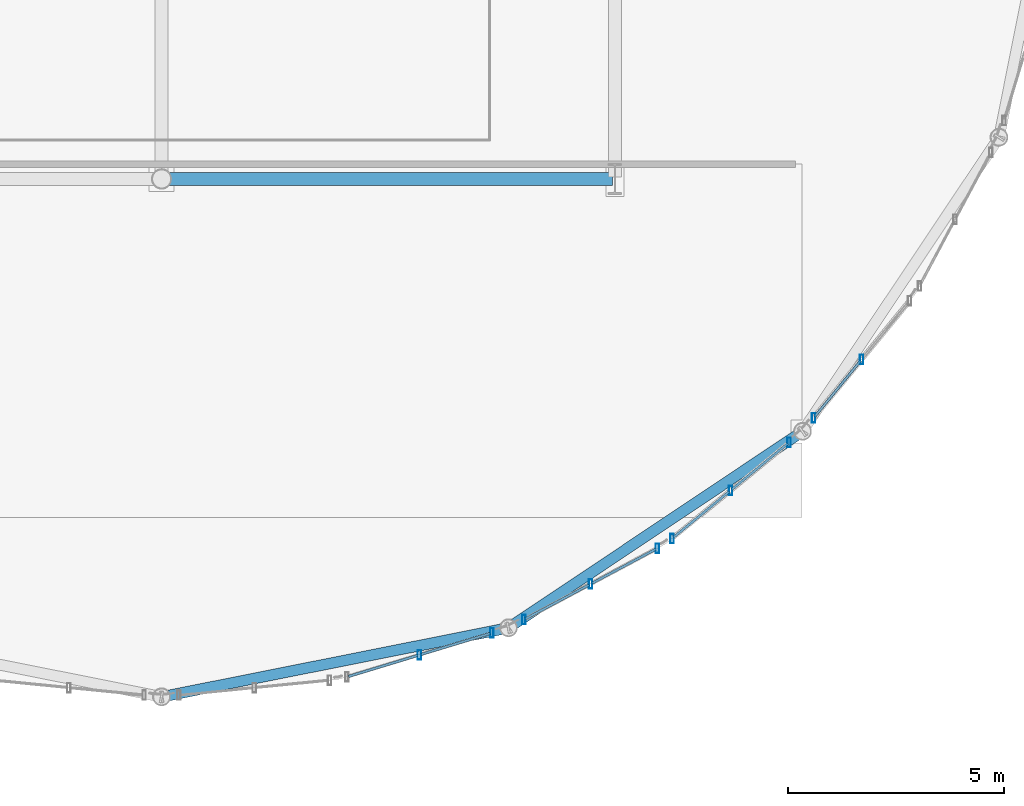
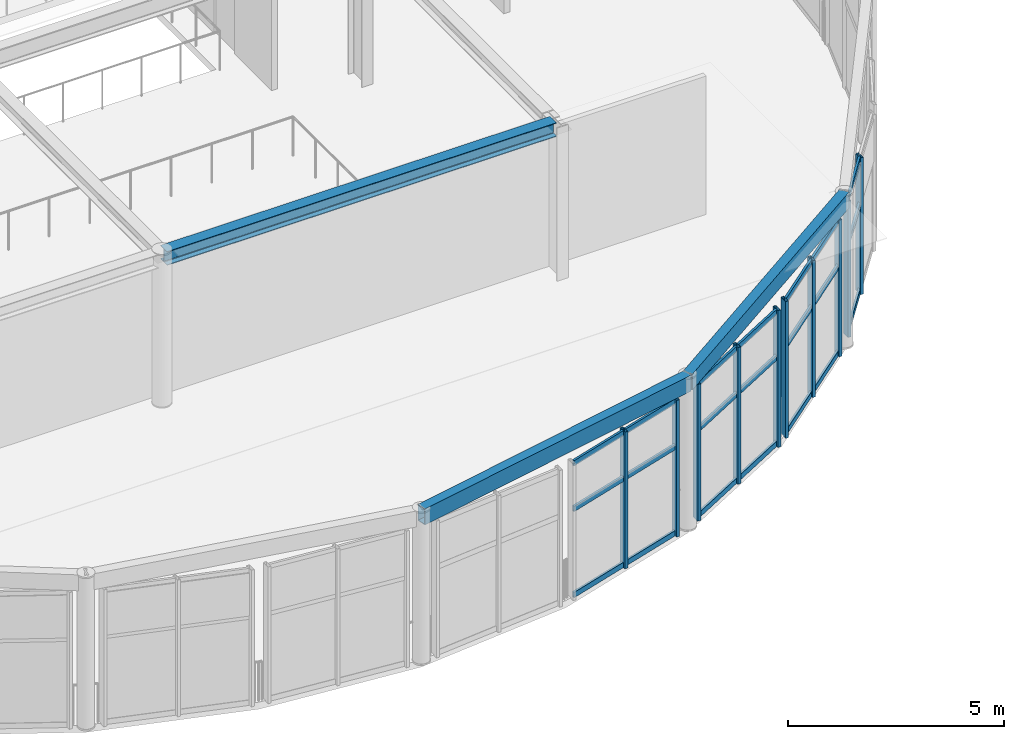
# One storey, part 19 of 105: 31 members, 3 beams, 4 elements without a shape of their own.
"""IFC4 building model written with IfcOpenShell, lengths in metres."""

from ifc_helpers import new_model, si_unit, direction, frame, origin, origin_2d, place, context, subcontext, project, spatial, hollow_rectangle, i_section, extrude, material, layer, layer_set, material_profile, profile_set, type_object, element, aggregate, save


model = new_model("IFC4")

# Units and contexts
model_context = context("Model", 3, precision=1e-05, world=origin(), true_north=direction((0.0, 1.0)))
body_context = subcontext(model_context, "Body", "Model", "MODEL_VIEW")
ifc_project = project(units=[si_unit("LENGTHUNIT", "METRE"), si_unit("AREAUNIT", "SQUARE_METRE"), si_unit("VOLUMEUNIT", "CUBIC_METRE"), si_unit("PLANEANGLEUNIT", "RADIAN"), si_unit("MASSUNIT", "GRAM", prefix="KILO")], contexts=[model_context])

# Site, building, storey
site_placement = place(None, origin())
site = spatial("IfcSite", under=ifc_project, at=site_placement, CompositionType="ELEMENT")
building_placement = place(site_placement, origin())
building = spatial("IfcBuilding", under=site, at=building_placement, Name="Marlcrest Central Station", CompositionType="ELEMENT")
storey_placement = place(building_placement, frame((0.0, 0.0, 15.0)))
storey = spatial("IfcBuildingStorey", under=building, at=storey_placement, Name="L03", CompositionType="ELEMENT", Elevation=15.0)

# Beam
ifc_material_1 = material(Name="Steel S355", Category="steel")
ifc_material_profile_1 = material_profile(ifc_material_1, i_section(OverallWidth=0.300048828125, OverallDepth=0.389892578125, WebThickness=0.010986328125, FlangeThickness=0.01904296875, FilletRadius=0.027099609375, at=origin_2d()), Name="HEA 400")
ifc_profile_set_1 = profile_set([ifc_material_profile_1], Name="Steel S355")
beam_type_1 = type_object("IfcBeamType", Name="BM-08", PredefinedType="BEAM", material=ifc_profile_set_1)
beam_1_placement = place(storey_placement, frame((108.050048828125, 13.5, 4.1298828125), z_axis=(1.0, 0.0, 0.0), x_axis=(0.0, 1.0, 0.0)))
element("IfcBeam", 1, at=beam_1_placement, inside=storey, type_object=beam_type_1, Name="bm-BM-08-L03-01414", PredefinedType="BEAM", context=body_context, shape_type="SweptSolid", body=[
    extrude(i_section(OverallWidth=0.300048828125, OverallDepth=0.389892578125, WebThickness=0.010986328125, FlangeThickness=0.01904296875, FilletRadius=0.027099609375, at=origin_2d()), origin(), (0.0, 0.0, 1.0), 10.39990234375),
])

# Curtain wall, members
ifc_material_2 = material(Name="Anodised aluminium and hurricane laminated glass", Category="aluminium")
ifc_layer = layer(ifc_material_2, 0.219970703125, Name="CW-U1")
ifc_layer_set = layer_set([ifc_layer], Name="Anodised aluminium and hurricane laminated glass")
curtain_wall_type = type_object("IfcCurtainWallType", Name="CW-U1", PredefinedType="USERDEFINED", material=ifc_layer_set)
curtain_wall_1_placement = place(storey_placement, origin())
curtain_wall_1 = element("IfcCurtainWall", 2, at=curtain_wall_1_placement, inside=storey, type_object=curtain_wall_type, Name="cw-L03-0050", ObjectType="UNITISED_CURTAIN_WALL", PredefinedType="USERDEFINED")
ifc_material_3 = material(Name="Anodised aluminium 6063-T6", Category="aluminium")
ifc_material_profile_2 = material_profile(ifc_material_3, hollow_rectangle(XDim=0.080078125, YDim=0.219970703125, WallThickness=0.006103515625, at=origin_2d()), Name="AA-RHS 220x80x6")
ifc_profile_set_2 = profile_set([ifc_material_profile_2], Name="Anodised aluminium 6063-T6")
member_type_1 = type_object("IfcMemberType", Name="ML-01", PredefinedType="MULLION", material=ifc_profile_set_2)
member_1_placement = place(storey_placement, frame((115.6494140625, 2.981689453125, -0.030029296875), z_axis=(0.0, 0.0, 1.0), x_axis=(1.0, 0.0, 0.0)))
member_1 = element("IfcMember", 3, at=member_1_placement, type_object=member_type_1, Name="cw-L03-0050-ml-0", PredefinedType="MULLION", context=body_context, shape_type="SweptSolid", body=[
    extrude(hollow_rectangle(XDim=0.080078125, YDim=0.219970703125, WallThickness=0.006103515625, at=origin_2d()), origin(), (0.0, 0.0, 1.0), 3.860107421875),
])
member_2_placement = place(storey_placement, frame((113.9716796875, 2.47265625, -0.030029296875), z_axis=(0.0, 0.0, 1.0), x_axis=(1.0, 0.0, 0.0)))
member_2 = element("IfcMember", 4, at=member_2_placement, type_object=member_type_1, Name="cw-L03-0050-ml-1", PredefinedType="MULLION", context=body_context, shape_type="SweptSolid", body=[
    extrude(hollow_rectangle(XDim=0.080078125, YDim=0.219970703125, WallThickness=0.006103515625, at=origin_2d()), origin(), (0.0, 0.0, 1.0), 3.860107421875),
])

curtain_wall_2_placement = place(storey_placement, origin())
curtain_wall_2 = element("IfcCurtainWall", 5, at=curtain_wall_2_placement, inside=storey, type_object=curtain_wall_type, Name="cw-L03-0051", ObjectType="UNITISED_CURTAIN_WALL", PredefinedType="USERDEFINED")
member_3_placement = place(storey_placement, frame((119.485595703125, 4.94189453125, -0.030029296875), z_axis=(0.0, 0.0, 1.0), x_axis=(1.0, 0.0, 0.0)))
member_3 = element("IfcMember", 6, at=member_3_placement, type_object=member_type_1, Name="cw-L03-0051-ml-0", PredefinedType="MULLION", context=body_context, shape_type="SweptSolid", body=[
    extrude(hollow_rectangle(XDim=0.080078125, YDim=0.219970703125, WallThickness=0.006103515625, at=origin_2d()), origin(), (0.0, 0.0, 1.0), 3.860107421875),
])
member_4_placement = place(storey_placement, frame((117.93896484375, 4.11572265625, -0.030029296875), z_axis=(0.0, 0.0, 1.0), x_axis=(1.0, 0.0, 0.0)))
member_4 = element("IfcMember", 7, at=member_4_placement, type_object=member_type_1, Name="cw-L03-0051-ml-1", PredefinedType="MULLION", context=body_context, shape_type="SweptSolid", body=[
    extrude(hollow_rectangle(XDim=0.080078125, YDim=0.219970703125, WallThickness=0.006103515625, at=origin_2d()), origin(), (0.0, 0.0, 1.0), 3.860107421875),
])
member_5_placement = place(storey_placement, frame((116.392333984375, 3.289306640625, -0.030029296875), z_axis=(0.0, 0.0, 1.0), x_axis=(1.0, 0.0, 0.0)))
member_5 = element("IfcMember", 8, at=member_5_placement, type_object=member_type_1, Name="cw-L03-0051-ml-2", PredefinedType="MULLION", context=body_context, shape_type="SweptSolid", body=[
    extrude(hollow_rectangle(XDim=0.080078125, YDim=0.219970703125, WallThickness=0.006103515625, at=origin_2d()), origin(), (0.0, 0.0, 1.0), 3.860107421875),
])

curtain_wall_3_placement = place(storey_placement, origin())
curtain_wall_3 = element("IfcCurtainWall", 9, at=curtain_wall_3_placement, inside=storey, type_object=curtain_wall_type, Name="cw-L03-0052", ObjectType="UNITISED_CURTAIN_WALL", PredefinedType="USERDEFINED")
member_6_placement = place(storey_placement, frame((122.53662109375, 7.39453125, -0.030029296875), z_axis=(0.0, 0.0, 1.0), x_axis=(1.0, 0.0, 0.0)))
member_6 = element("IfcMember", 10, at=member_6_placement, type_object=member_type_1, Name="cw-L03-0052-ml-0", PredefinedType="MULLION", context=body_context, shape_type="SweptSolid", body=[
    extrude(hollow_rectangle(XDim=0.080078125, YDim=0.219970703125, WallThickness=0.006103515625, at=origin_2d()), origin(), (0.0, 0.0, 1.0), 3.860107421875),
])
member_7_placement = place(storey_placement, frame((121.181396484375, 6.281982421875, -0.030029296875), z_axis=(0.0, 0.0, 1.0), x_axis=(1.0, 0.0, 0.0)))
member_7 = element("IfcMember", 11, at=member_7_placement, type_object=member_type_1, Name="cw-L03-0052-ml-1", PredefinedType="MULLION", context=body_context, shape_type="SweptSolid", body=[
    extrude(hollow_rectangle(XDim=0.080078125, YDim=0.219970703125, WallThickness=0.006103515625, at=origin_2d()), origin(), (0.0, 0.0, 1.0), 3.860107421875),
])
member_8_placement = place(storey_placement, frame((119.826171875, 5.169677734375, -0.030029296875), z_axis=(0.0, 0.0, 1.0), x_axis=(1.0, 0.0, 0.0)))
member_8 = element("IfcMember", 12, at=member_8_placement, type_object=member_type_1, Name="cw-L03-0052-ml-2", PredefinedType="MULLION", context=body_context, shape_type="SweptSolid", body=[
    extrude(hollow_rectangle(XDim=0.080078125, YDim=0.219970703125, WallThickness=0.006103515625, at=origin_2d()), origin(), (0.0, 0.0, 1.0), 3.860107421875),
])

curtain_wall_4_placement = place(storey_placement, origin())
curtain_wall_4 = element("IfcCurtainWall", 13, at=curtain_wall_4_placement, inside=storey, type_object=curtain_wall_type, Name="cw-L03-0053", ObjectType="UNITISED_CURTAIN_WALL", PredefinedType="USERDEFINED")
member_9_placement = place(storey_placement, frame((124.218017578125, 9.318603515625, -0.030029296875), z_axis=(0.0, 0.0, 1.0), x_axis=(1.0, 0.0, 0.0)))
member_9 = element("IfcMember", 14, at=member_9_placement, type_object=member_type_1, Name="cw-L03-0053-ml-1", PredefinedType="MULLION", context=body_context, shape_type="SweptSolid", body=[
    extrude(hollow_rectangle(XDim=0.080078125, YDim=0.219970703125, WallThickness=0.006103515625, at=origin_2d()), origin(), (0.0, 0.0, 1.0), 3.860107421875),
])
member_10_placement = place(storey_placement, frame((123.10546875, 7.96337890625, -0.030029296875), z_axis=(0.0, 0.0, 1.0), x_axis=(1.0, 0.0, 0.0)))
member_10 = element("IfcMember", 15, at=member_10_placement, type_object=member_type_1, Name="cw-L03-0053-ml-2", PredefinedType="MULLION", context=body_context, shape_type="SweptSolid", body=[
    extrude(hollow_rectangle(XDim=0.080078125, YDim=0.219970703125, WallThickness=0.006103515625, at=origin_2d()), origin(), (0.0, 0.0, 1.0), 3.860107421875),
])

# Beams
ifc_material_profile_3 = material_profile(ifc_material_1, hollow_rectangle(XDim=0.25, YDim=0.449951171875, WallThickness=0.01611328125, at=origin_2d()), Name="RHS 450x250x16")
ifc_profile_set_3 = profile_set([ifc_material_profile_3], Name="Steel S355")
beam_type_2 = type_object("IfcBeamType", Name="SP-02", PredefinedType="SPANDREL", material=ifc_profile_set_3)
beam_2_placement = place(storey_placement, frame((108.0, 1.5, 4.10009765625), z_axis=(0.980769316421, 0.19517056122, 0.0), x_axis=(-0.19517056122, 0.980769316421, 0.0)))
element("IfcBeam", 16, at=beam_2_placement, inside=storey, type_object=beam_type_2, Name="bm-SP-02-L03-01409", PredefinedType="SPANDREL", context=body_context, shape_type="SweptSolid", body=[
    extrude(hollow_rectangle(XDim=0.25, YDim=0.449951171875, WallThickness=0.01611328125, at=origin_2d()), origin(), (0.0, 0.0, 1.0), 8.193359375),
])
beam_3_placement = place(storey_placement, frame((116.035888671875, 3.09912109375, 4.10009765625), z_axis=(0.831508991937, 0.55551129271, 0.0), x_axis=(-0.55551129271, 0.831508991937, 0.0)))
element("IfcBeam", 17, at=beam_3_placement, inside=storey, type_object=beam_type_2, Name="bm-SP-02-L03-01410", PredefinedType="SPANDREL", context=body_context, shape_type="SweptSolid", body=[
    extrude(hollow_rectangle(XDim=0.25, YDim=0.449951171875, WallThickness=0.01611328125, at=origin_2d()), origin(), (0.0, 0.0, 1.0), 8.19384765625),
])

# Member
ifc_material_profile_4 = material_profile(ifc_material_3, hollow_rectangle(XDim=0.06005859375, YDim=0.14990234375, WallThickness=0.00390625, at=origin_2d()), Name="AA-RHS 150x60x4")
ifc_profile_set_4 = profile_set([ifc_material_profile_4], Name="Anodised aluminium 6063-T6")
member_type_2 = type_object("IfcMemberType", Name="TR-01", PredefinedType="USERDEFINED", material=ifc_profile_set_4)
member_11_placement = place(storey_placement, frame((115.613037109375, 2.970703125, 0.0400390625), z_axis=(-0.95694846695, -0.29025787087, 0.0), x_axis=(0.29025787087, -0.95694846695, 0.0)))
member_11 = element("IfcMember", 18, at=member_11_placement, type_object=member_type_2, Name="cw-L03-0050-tr-0-sill", ObjectType="TRANSOM", PredefinedType="USERDEFINED", context=body_context, shape_type="SweptSolid", body=[
    extrude(hollow_rectangle(XDim=0.06005859375, YDim=0.14990234375, WallThickness=0.00390625, at=origin_2d()), origin(), (0.0, 0.0, 1.0), 1.67724609375),
])

member_12_placement = place(storey_placement, frame((115.613037109375, 2.970703125, 2.469970703125), z_axis=(-0.95694846695, -0.29025787087, 0.0), x_axis=(0.29025787087, -0.95694846695, 0.0)))
member_12 = element("IfcMember", 19, at=member_12_placement, type_object=member_type_2, Name="cw-L03-0050-tr-0-mid", ObjectType="TRANSOM", PredefinedType="USERDEFINED", context=body_context, shape_type="SweptSolid", body=[
    extrude(hollow_rectangle(XDim=0.06005859375, YDim=0.14990234375, WallThickness=0.00390625, at=origin_2d()), origin(), (0.0, 0.0, 1.0), 1.67724609375),
])

member_13_placement = place(storey_placement, frame((115.613037109375, 2.970703125, 3.760009765625), z_axis=(-0.95694846695, -0.29025787087, 0.0), x_axis=(0.29025787087, -0.95694846695, 0.0)))
member_13 = element("IfcMember", 20, at=member_13_placement, type_object=member_type_2, Name="cw-L03-0050-tr-0-head", ObjectType="TRANSOM", PredefinedType="USERDEFINED", context=body_context, shape_type="SweptSolid", body=[
    extrude(hollow_rectangle(XDim=0.06005859375, YDim=0.14990234375, WallThickness=0.00390625, at=origin_2d()), origin(), (0.0, 0.0, 1.0), 1.67724609375),
])

member_14_placement = place(storey_placement, frame((113.935302734375, 2.461669921875, 0.0400390625), z_axis=(-0.95694846695, -0.29025787087, 0.0), x_axis=(0.29025787087, -0.95694846695, 0.0)))
member_14 = element("IfcMember", 21, at=member_14_placement, type_object=member_type_2, Name="cw-L03-0050-tr-1-sill", ObjectType="TRANSOM", PredefinedType="USERDEFINED", context=body_context, shape_type="SweptSolid", body=[
    extrude(hollow_rectangle(XDim=0.06005859375, YDim=0.14990234375, WallThickness=0.00390625, at=origin_2d()), origin(), (0.0, 0.0, 1.0), 1.67724609375),
])

member_15_placement = place(storey_placement, frame((113.935302734375, 2.461669921875, 2.469970703125), z_axis=(-0.95694846695, -0.29025787087, 0.0), x_axis=(0.29025787087, -0.95694846695, 0.0)))
member_15 = element("IfcMember", 22, at=member_15_placement, type_object=member_type_2, Name="cw-L03-0050-tr-1-mid", ObjectType="TRANSOM", PredefinedType="USERDEFINED", context=body_context, shape_type="SweptSolid", body=[
    extrude(hollow_rectangle(XDim=0.06005859375, YDim=0.14990234375, WallThickness=0.00390625, at=origin_2d()), origin(), (0.0, 0.0, 1.0), 1.67724609375),
])

member_16_placement = place(storey_placement, frame((113.935302734375, 2.461669921875, 3.760009765625), z_axis=(-0.95694846695, -0.29025787087, 0.0), x_axis=(0.29025787087, -0.95694846695, 0.0)))
member_16 = element("IfcMember", 23, at=member_16_placement, type_object=member_type_2, Name="cw-L03-0050-tr-1-head", ObjectType="TRANSOM", PredefinedType="USERDEFINED", context=body_context, shape_type="SweptSolid", body=[
    extrude(hollow_rectangle(XDim=0.06005859375, YDim=0.14990234375, WallThickness=0.00390625, at=origin_2d()), origin(), (0.0, 0.0, 1.0), 1.67724609375),
])

aggregate(curtain_wall_1, [member_1, member_2, member_11, member_12, member_13, member_14, member_15, member_16])

member_17_placement = place(storey_placement, frame((119.451904296875, 4.924072265625, 0.0400390625), z_axis=(-0.881990080976, -0.47126796736, 0.0), x_axis=(0.47126796736, -0.881990080976, 0.0)))
member_17 = element("IfcMember", 24, at=member_17_placement, type_object=member_type_2, Name="cw-L03-0051-tr-0-sill", ObjectType="TRANSOM", PredefinedType="USERDEFINED", context=body_context, shape_type="SweptSolid", body=[
    extrude(hollow_rectangle(XDim=0.06005859375, YDim=0.14990234375, WallThickness=0.00390625, at=origin_2d()), origin(), (0.0, 0.0, 1.0), 1.677490234375),
])

member_18_placement = place(storey_placement, frame((119.451904296875, 4.924072265625, 2.469970703125), z_axis=(-0.881990080976, -0.47126796736, 0.0), x_axis=(0.47126796736, -0.881990080976, 0.0)))
member_18 = element("IfcMember", 25, at=member_18_placement, type_object=member_type_2, Name="cw-L03-0051-tr-0-mid", ObjectType="TRANSOM", PredefinedType="USERDEFINED", context=body_context, shape_type="SweptSolid", body=[
    extrude(hollow_rectangle(XDim=0.06005859375, YDim=0.14990234375, WallThickness=0.00390625, at=origin_2d()), origin(), (0.0, 0.0, 1.0), 1.677490234375),
])

member_19_placement = place(storey_placement, frame((119.451904296875, 4.924072265625, 3.760009765625), z_axis=(-0.881990080976, -0.47126796736, 0.0), x_axis=(0.47126796736, -0.881990080976, 0.0)))
member_19 = element("IfcMember", 26, at=member_19_placement, type_object=member_type_2, Name="cw-L03-0051-tr-0-head", ObjectType="TRANSOM", PredefinedType="USERDEFINED", context=body_context, shape_type="SweptSolid", body=[
    extrude(hollow_rectangle(XDim=0.06005859375, YDim=0.14990234375, WallThickness=0.00390625, at=origin_2d()), origin(), (0.0, 0.0, 1.0), 1.677490234375),
])

member_20_placement = place(storey_placement, frame((117.905517578125, 4.097900390625, 0.0400390625), z_axis=(-0.882022398889, -0.471207478568, 0.0), x_axis=(0.471207478568, -0.882022398889, 0.0)))
member_20 = element("IfcMember", 27, at=member_20_placement, type_object=member_type_2, Name="cw-L03-0051-tr-1-sill", ObjectType="TRANSOM", PredefinedType="USERDEFINED", context=body_context, shape_type="SweptSolid", body=[
    extrude(hollow_rectangle(XDim=0.06005859375, YDim=0.14990234375, WallThickness=0.00390625, at=origin_2d()), origin(), (0.0, 0.0, 1.0), 1.677734375),
])

member_21_placement = place(storey_placement, frame((117.905517578125, 4.097900390625, 2.469970703125), z_axis=(-0.882022398889, -0.471207478568, 0.0), x_axis=(0.471207478568, -0.882022398889, 0.0)))
member_21 = element("IfcMember", 28, at=member_21_placement, type_object=member_type_2, Name="cw-L03-0051-tr-1-mid", ObjectType="TRANSOM", PredefinedType="USERDEFINED", context=body_context, shape_type="SweptSolid", body=[
    extrude(hollow_rectangle(XDim=0.06005859375, YDim=0.14990234375, WallThickness=0.00390625, at=origin_2d()), origin(), (0.0, 0.0, 1.0), 1.677734375),
])

member_22_placement = place(storey_placement, frame((117.905517578125, 4.097900390625, 3.760009765625), z_axis=(-0.882022398889, -0.471207478568, 0.0), x_axis=(0.471207478568, -0.882022398889, 0.0)))
member_22 = element("IfcMember", 29, at=member_22_placement, type_object=member_type_2, Name="cw-L03-0051-tr-1-head", ObjectType="TRANSOM", PredefinedType="USERDEFINED", context=body_context, shape_type="SweptSolid", body=[
    extrude(hollow_rectangle(XDim=0.06005859375, YDim=0.14990234375, WallThickness=0.00390625, at=origin_2d()), origin(), (0.0, 0.0, 1.0), 1.677734375),
])

aggregate(curtain_wall_2, [member_3, member_4, member_5, member_17, member_18, member_19, member_20, member_21, member_22])

member_23_placement = place(storey_placement, frame((122.50732421875, 7.37060546875, 0.0400390625), z_axis=(-0.772912318539, -0.634512842936, 0.0), x_axis=(0.634512842936, -0.772912318539, 0.0)))
member_23 = element("IfcMember", 30, at=member_23_placement, type_object=member_type_2, Name="cw-L03-0052-tr-0-sill", ObjectType="TRANSOM", PredefinedType="USERDEFINED", context=body_context, shape_type="SweptSolid", body=[
    extrude(hollow_rectangle(XDim=0.06005859375, YDim=0.14990234375, WallThickness=0.00390625, at=origin_2d()), origin(), (0.0, 0.0, 1.0), 1.677490234375),
])

member_24_placement = place(storey_placement, frame((122.50732421875, 7.37060546875, 2.469970703125), z_axis=(-0.772912318539, -0.634512842936, 0.0), x_axis=(0.634512842936, -0.772912318539, 0.0)))
member_24 = element("IfcMember", 31, at=member_24_placement, type_object=member_type_2, Name="cw-L03-0052-tr-0-mid", ObjectType="TRANSOM", PredefinedType="USERDEFINED", context=body_context, shape_type="SweptSolid", body=[
    extrude(hollow_rectangle(XDim=0.06005859375, YDim=0.14990234375, WallThickness=0.00390625, at=origin_2d()), origin(), (0.0, 0.0, 1.0), 1.677490234375),
])

member_25_placement = place(storey_placement, frame((122.50732421875, 7.37060546875, 3.760009765625), z_axis=(-0.772912318539, -0.634512842936, 0.0), x_axis=(0.634512842936, -0.772912318539, 0.0)))
member_25 = element("IfcMember", 32, at=member_25_placement, type_object=member_type_2, Name="cw-L03-0052-tr-0-head", ObjectType="TRANSOM", PredefinedType="USERDEFINED", context=body_context, shape_type="SweptSolid", body=[
    extrude(hollow_rectangle(XDim=0.06005859375, YDim=0.14990234375, WallThickness=0.00390625, at=origin_2d()), origin(), (0.0, 0.0, 1.0), 1.677490234375),
])

member_26_placement = place(storey_placement, frame((121.152099609375, 6.258056640625, 0.0400390625), z_axis=(-0.772912318539, -0.634512842936, 0.0), x_axis=(0.634512842936, -0.772912318539, 0.0)))
member_26 = element("IfcMember", 33, at=member_26_placement, type_object=member_type_2, Name="cw-L03-0052-tr-1-sill", ObjectType="TRANSOM", PredefinedType="USERDEFINED", context=body_context, shape_type="SweptSolid", body=[
    extrude(hollow_rectangle(XDim=0.06005859375, YDim=0.14990234375, WallThickness=0.00390625, at=origin_2d()), origin(), (0.0, 0.0, 1.0), 1.677490234375),
])

member_27_placement = place(storey_placement, frame((121.152099609375, 6.258056640625, 2.469970703125), z_axis=(-0.772912318539, -0.634512842936, 0.0), x_axis=(0.634512842936, -0.772912318539, 0.0)))
member_27 = element("IfcMember", 34, at=member_27_placement, type_object=member_type_2, Name="cw-L03-0052-tr-1-mid", ObjectType="TRANSOM", PredefinedType="USERDEFINED", context=body_context, shape_type="SweptSolid", body=[
    extrude(hollow_rectangle(XDim=0.06005859375, YDim=0.14990234375, WallThickness=0.00390625, at=origin_2d()), origin(), (0.0, 0.0, 1.0), 1.677490234375),
])

member_28_placement = place(storey_placement, frame((121.152099609375, 6.258056640625, 3.760009765625), z_axis=(-0.772912318539, -0.634512842936, 0.0), x_axis=(0.634512842936, -0.772912318539, 0.0)))
member_28 = element("IfcMember", 35, at=member_28_placement, type_object=member_type_2, Name="cw-L03-0052-tr-1-head", ObjectType="TRANSOM", PredefinedType="USERDEFINED", context=body_context, shape_type="SweptSolid", body=[
    extrude(hollow_rectangle(XDim=0.06005859375, YDim=0.14990234375, WallThickness=0.00390625, at=origin_2d()), origin(), (0.0, 0.0, 1.0), 1.677490234375),
])

aggregate(curtain_wall_3, [member_6, member_7, member_8, member_23, member_24, member_25, member_26, member_27, member_28])

member_29_placement = place(storey_placement, frame((124.19384765625, 9.289306640625, 0.0400390625), z_axis=(-0.634512842936, -0.772912318539, 0.0), x_axis=(0.772912318539, -0.634512842936, 0.0)))
member_29 = element("IfcMember", 36, at=member_29_placement, type_object=member_type_2, Name="cw-L03-0053-tr-1-sill", ObjectType="TRANSOM", PredefinedType="USERDEFINED", context=body_context, shape_type="SweptSolid", body=[
    extrude(hollow_rectangle(XDim=0.06005859375, YDim=0.14990234375, WallThickness=0.00390625, at=origin_2d()), origin(), (0.0, 0.0, 1.0), 1.677490234375),
])

member_30_placement = place(storey_placement, frame((124.19384765625, 9.289306640625, 2.469970703125), z_axis=(-0.634512842936, -0.772912318539, 0.0), x_axis=(0.772912318539, -0.634512842936, 0.0)))
member_30 = element("IfcMember", 37, at=member_30_placement, type_object=member_type_2, Name="cw-L03-0053-tr-1-mid", ObjectType="TRANSOM", PredefinedType="USERDEFINED", context=body_context, shape_type="SweptSolid", body=[
    extrude(hollow_rectangle(XDim=0.06005859375, YDim=0.14990234375, WallThickness=0.00390625, at=origin_2d()), origin(), (0.0, 0.0, 1.0), 1.677490234375),
])

member_31_placement = place(storey_placement, frame((124.19384765625, 9.289306640625, 3.760009765625), z_axis=(-0.634512842936, -0.772912318539, 0.0), x_axis=(0.772912318539, -0.634512842936, 0.0)))
member_31 = element("IfcMember", 38, at=member_31_placement, type_object=member_type_2, Name="cw-L03-0053-tr-1-head", ObjectType="TRANSOM", PredefinedType="USERDEFINED", context=body_context, shape_type="SweptSolid", body=[
    extrude(hollow_rectangle(XDim=0.06005859375, YDim=0.14990234375, WallThickness=0.00390625, at=origin_2d()), origin(), (0.0, 0.0, 1.0), 1.677490234375),
])

aggregate(curtain_wall_4, [member_9, member_10, member_29, member_30, member_31])

save(model, "model.ifc")
